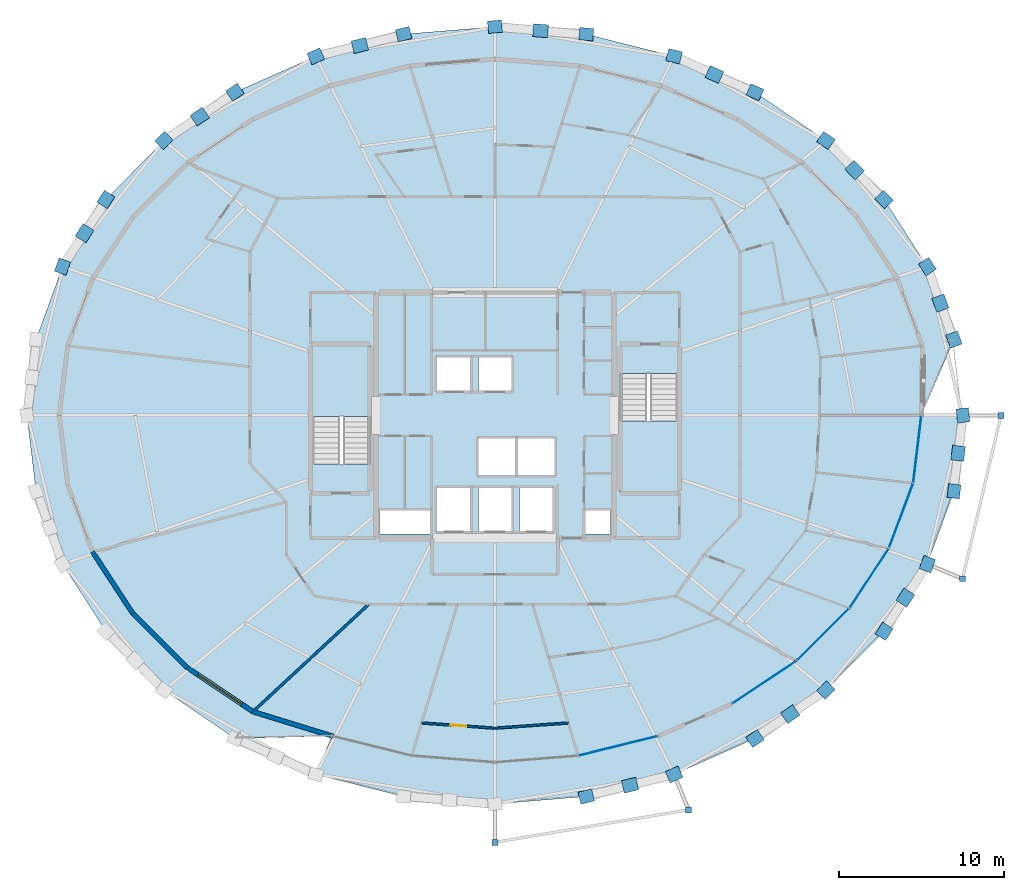
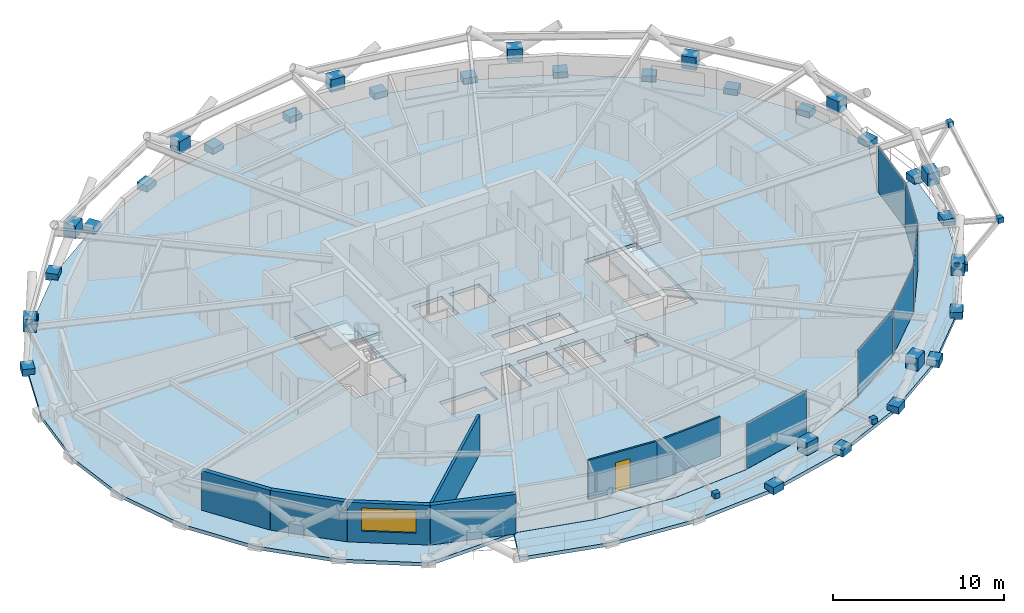
# One storey, part 14 of 22: 43 plates, 7 walls, 4 slabs, 1 door, 1 window, 2 openings, 4 elements without a shape of their own.
"""IFC4 building model written with IfcOpenShell, lengths in metres."""

from ifc_helpers import new_model, si_unit, direction, frame, frame_2d, origin, origin_2d, place, context, subcontext, project, spatial, polyline, rectangle, outline, extrude, material, layer, layer_set, type_object, element, fill, aggregate, save


model = new_model("IFC4")

# Units and contexts
model_context = context("Model", 3, precision=1e-05, world=origin(), true_north=direction((0.0, 1.0)))
body_context = subcontext(model_context, "Body", "Model", "MODEL_VIEW")
ifc_project = project(units=[si_unit("LENGTHUNIT", "METRE"), si_unit("AREAUNIT", "SQUARE_METRE"), si_unit("VOLUMEUNIT", "CUBIC_METRE"), si_unit("PLANEANGLEUNIT", "RADIAN"), si_unit("MASSUNIT", "GRAM", prefix="KILO")], contexts=[model_context])

# Site, building, storey
site_placement = place(None, origin())
site = spatial("IfcSite", under=ifc_project, at=site_placement, CompositionType="ELEMENT")
building_placement = place(site_placement, origin())
building = spatial("IfcBuilding", under=site, at=building_placement, Name="Veldorina Hangang Commons", CompositionType="ELEMENT")
storey_placement = place(building_placement, frame((0.0, 0.0, 146.0)))
storey = spatial("IfcBuildingStorey", under=building, at=storey_placement, Name="L37", CompositionType="ELEMENT", Elevation=146.0)

# Curtain wall, plate
ifc_material_1 = material(Name="Glass Low-E Triple IGU", Category="glass")
ifc_layer_1 = layer(ifc_material_1, 0.179931640625)
ifc_layer_set_1 = layer_set([ifc_layer_1], Name="Glass Low-E Triple IGU")
curtain_wall_type = type_object("IfcCurtainWallType", Name="CW-SYS-Z2", PredefinedType="NOTDEFINED", material=ifc_layer_set_1)
curtain_wall_1_placement = place(storey_placement, origin())
curtain_wall_1 = element("IfcCurtainWall", 1, at=curtain_wall_1_placement, inside=storey, type_object=curtain_wall_type, Name="L37 unitised curtain wall CW-L37-R1", PredefinedType="NOTDEFINED")
ifc_layer_2 = layer(ifc_material_1, 0.0400390625)
ifc_layer_set_2 = layer_set([ifc_layer_2], Name="Glass Low-E Triple IGU")
plate_type_1 = type_object("IfcPlateType", Name="CW-PNL-VIS", PredefinedType="CURTAIN_PANEL", material=ifc_layer_set_2)
plate_1_placement = place(storey_placement, frame((39.468017578125, 3.963623046875, 0.01513671875), z_axis=(0.0, 0.0, 1.0), x_axis=(0.970850498824, 0.23968585468, 0.0)))
plate_1 = element("IfcPlate", 2, at=plate_1_placement, type_object=plate_type_1, Name="CW-L37-R1 facet 4 glazed vision panel", PredefinedType="CURTAIN_PANEL", context=body_context, shape_type="SweptSolid", body=[
    extrude(rectangle(XDim=4.81494140625, YDim=0.0400390625, at=origin_2d()), origin(), (0.0, 0.0, 1.0), 3.280029296875),
])
aggregate(curtain_wall_1, [plate_1])

# Curtain wall, plates
curtain_wall_2_placement = place(storey_placement, origin())
curtain_wall_2 = element("IfcCurtainWall", 3, at=curtain_wall_2_placement, inside=storey, type_object=curtain_wall_type, Name="L37 unitised curtain wall CW-L37-R2", PredefinedType="NOTDEFINED")
plate_2_placement = place(storey_placement, frame((48.320556640625, 7.814697265625, 0.01513671875), z_axis=(0.0, 0.0, 1.0), x_axis=(0.831566564936, 0.555425105735, 0.0)))
plate_2 = element("IfcPlate", 4, at=plate_2_placement, type_object=plate_type_1, Name="CW-L37-R2 facet 1 glazed vision panel", PredefinedType="CURTAIN_PANEL", context=body_context, shape_type="SweptSolid", body=[
    extrude(rectangle(XDim=4.53076171875, YDim=0.0400390625, at=origin_2d()), origin(), (0.0, 0.0, 1.0), 3.280029296875),
])
plate_3_placement = place(storey_placement, frame((51.886474609375, 10.717041015625, 0.01513671875), z_axis=(0.0, 0.0, 1.0), x_axis=(0.710037911549, 0.704163449891, 0.0)))
plate_3 = element("IfcPlate", 5, at=plate_3_placement, type_object=plate_type_1, Name="CW-L37-R2 facet 2 glazed vision panel", PredefinedType="CURTAIN_PANEL", context=body_context, shape_type="SweptSolid", body=[
    extrude(rectangle(XDim=4.34765625, YDim=0.0400390625, at=origin_2d()), origin(), (0.0, 0.0, 1.0), 3.280029296875),
])
plate_4_placement = place(storey_placement, frame((54.688232421875, 14.1298828125, 0.01513671875), z_axis=(0.0, 0.0, 1.0), x_axis=(0.548935289446, 0.83586485032, 0.0)))
plate_4 = element("IfcPlate", 6, at=plate_4_placement, type_object=plate_type_1, Name="CW-L37-R2 facet 3 glazed vision panel", PredefinedType="CURTAIN_PANEL", context=body_context, shape_type="SweptSolid", body=[
    extrude(rectangle(XDim=4.171630859375, YDim=0.0400390625, at=origin_2d()), origin(), (0.0, 0.0, 1.0), 3.280029296875),
])
plate_5_placement = place(storey_placement, frame((56.618408203125, 17.922119140625, 0.01513671875), z_axis=(0.0, 0.0, 1.0), x_axis=(0.349259017191, 0.937026221037, 0.0)))
plate_5 = element("IfcPlate", 7, at=plate_5_placement, type_object=plate_type_1, Name="CW-L37-R2 facet 4 glazed vision panel", PredefinedType="CURTAIN_PANEL", context=body_context, shape_type="SweptSolid", body=[
    extrude(rectangle(XDim=4.031982421875, YDim=0.0400390625, at=origin_2d()), origin(), (0.0, 0.0, 1.0), 3.280029296875),
])
plate_6_placement = place(storey_placement, frame((57.60205078125, 21.94775390625, 0.01513671875), z_axis=(0.0, 0.0, 1.0), x_axis=(0.120136838835, 0.992757341929, 0.0)))
plate_6 = element("IfcPlate", 8, at=plate_6_placement, type_object=plate_type_1, Name="CW-L37-R2 facet 5 glazed vision panel", PredefinedType="CURTAIN_PANEL", context=body_context, shape_type="SweptSolid", body=[
    extrude(rectangle(XDim=3.95458984375, YDim=0.0400390625, at=origin_2d()), origin(), (0.0, 0.0, 1.0), 3.280029296875),
])
aggregate(curtain_wall_2, [plate_2, plate_3, plate_4, plate_5, plate_6])

# Plates
ifc_material_2 = material(Name="Steel SM460-TMC", Category="steel")
ifc_layer_3 = layer(ifc_material_2, 0.035888671875)
ifc_layer_set_3 = layer_set([ifc_layer_3], Name="Steel SM460-TMC")
plate_type_2 = type_object("IfcPlateType", Name="PL-STAR-36", PredefinedType="USERDEFINED", material=ifc_layer_set_3)
for number, where, z_axis, x_axis, name in (
    (9, (60.37060546875, 24.0, -0.090087890625), (0.0, 0.0, 1.0), (-0.117780046346, 0.993039707506, 0.0), "L37 diagrid star-node gusset plate 00"),
    (10, (59.825439453125, 28.59619140625, -0.090087890625), (0.0, 0.0, 1.0), (-0.343118758154, 0.939292030097, 0.0), "L37 diagrid star-node gusset plate 01"),
):
    element("IfcPlate", number, at=place(storey_placement, frame(where, z_axis=z_axis, x_axis=x_axis)), inside=storey, type_object=plate_type_2, Name=name, ObjectType="GUSSET PLATE", PredefinedType="USERDEFINED", context=body_context, shape_type="SweptSolid", body=[
        extrude(rectangle(XDim=0.85009765625, YDim=0.75, at=origin_2d()), origin(), (0.0, 0.0, 1.0), 0.5),
    ])
plate_7_placement = place(storey_placement, frame((58.996826171875, 30.801513671875, 1.351318359375), z_axis=(0.0, 0.0, 1.0), x_axis=(-0.343118758154, 0.939292030097, 0.0)))
element("IfcPlate", 11, at=plate_7_placement, inside=storey, type_object=plate_type_2, Name="L37 diagrid X-crossing star-node gusset plate 01", ObjectType="GUSSET PLATE", PredefinedType="USERDEFINED", context=body_context, shape_type="SweptSolid", body=[
    extrude(rectangle(XDim=0.89990234375, YDim=0.780029296875, at=origin_2d()), origin(), (0.0, 0.0, 1.0), 0.89990234375),
])
for number, where, z_axis, x_axis, name in (
    (12, (58.2109375, 33.015869140625, -0.090087890625), (0.0, 0.0, 1.0), (-0.541238664866, 0.840869019321, 0.0), "L37 diagrid star-node gusset plate 02"),
    (13, (55.589111328125, 37.0888671875, -0.090087890625), (0.0, 0.0, 1.0), (-0.702923128081, 0.711265826543, 0.0), "L37 diagrid star-node gusset plate 03"),
):
    element("IfcPlate", number, at=place(storey_placement, frame(where, z_axis=z_axis, x_axis=x_axis)), inside=storey, type_object=plate_type_2, Name=name, ObjectType="GUSSET PLATE", PredefinedType="USERDEFINED", context=body_context, shape_type="SweptSolid", body=[
        extrude(rectangle(XDim=0.85009765625, YDim=0.75, at=origin_2d()), origin(), (0.0, 0.0, 1.0), 0.5),
    ])
plate_8_placement = place(storey_placement, frame((53.80810546875, 38.864013671875, 1.351318359375), z_axis=(0.0, 0.0, 1.0), x_axis=(-0.702923128081, 0.711265826543, 0.0)))
element("IfcPlate", 14, at=plate_8_placement, inside=storey, type_object=plate_type_2, Name="L37 diagrid X-crossing star-node gusset plate 03", ObjectType="GUSSET PLATE", PredefinedType="USERDEFINED", context=body_context, shape_type="SweptSolid", body=[
    extrude(rectangle(XDim=0.89990234375, YDim=0.780029296875, at=origin_2d()), origin(), (0.0, 0.0, 1.0), 0.89990234375),
])
for number, where, z_axis, x_axis, name in (
    (15, (52.06103515625, 40.658935546875, -0.090087890625), (0.0, 0.0, 1.0), (-0.826353929441, 0.563151119415, 0.0), "L37 diagrid star-node gusset plate 04"),
    (16, (47.76171875, 43.5888671875, -0.090087890625), (0.0, 0.0, 1.0), (-0.913999216818, 0.405715949472, 0.0), "L37 diagrid star-node gusset plate 05"),
):
    element("IfcPlate", number, at=place(storey_placement, frame(where, z_axis=z_axis, x_axis=x_axis)), inside=storey, type_object=plate_type_2, Name=name, ObjectType="GUSSET PLATE", PredefinedType="USERDEFINED", context=body_context, shape_type="SweptSolid", body=[
        extrude(rectangle(XDim=0.85009765625, YDim=0.75, at=origin_2d()), origin(), (0.0, 0.0, 1.0), 0.5),
    ])
plate_9_placement = place(storey_placement, frame((45.298828125, 44.663818359375, 1.3515625), z_axis=(0.0, 0.0, 1.0), x_axis=(-0.913999216818, 0.405715949472, 0.0)))
element("IfcPlate", 17, at=plate_9_placement, inside=storey, type_object=plate_type_2, Name="L37 diagrid X-crossing star-node gusset plate 05", ObjectType="GUSSET PLATE", PredefinedType="USERDEFINED", context=body_context, shape_type="SweptSolid", body=[
    extrude(rectangle(XDim=0.89990234375, YDim=0.780029296875, at=origin_2d()), origin(), (0.0, 0.0, 1.0), 0.89990234375),
])
for number, where, z_axis, x_axis, name in (
    (18, (42.85693359375, 45.76611328125, -0.090087890625), (0.0, 0.0, 1.0), (-0.969710230395, 0.244258201639, 0.0), "L37 diagrid star-node gusset plate 06"),
    (19, (37.534912109375, 47.106689453125, -0.090087890625), (0.0, 0.0, 1.0), (-0.996671621704, 0.081521030961, 0.0), "L37 diagrid star-node gusset plate 07"),
):
    element("IfcPlate", number, at=place(storey_placement, frame(where, z_axis=z_axis, x_axis=x_axis)), inside=storey, type_object=plate_type_2, Name=name, ObjectType="GUSSET PLATE", PredefinedType="USERDEFINED", context=body_context, shape_type="SweptSolid", body=[
        extrude(rectangle(XDim=0.85009765625, YDim=0.75, at=origin_2d()), origin(), (0.0, 0.0, 1.0), 0.5),
    ])
plate_10_placement = place(storey_placement, frame((34.76513671875, 47.3173828125, 1.3515625), z_axis=(0.0, 0.0, 1.0), x_axis=(-0.996671621704, 0.081521030961, 0.0)))
element("IfcPlate", 20, at=plate_10_placement, inside=storey, type_object=plate_type_2, Name="L37 diagrid X-crossing star-node gusset plate 07", ObjectType="GUSSET PLATE", PredefinedType="USERDEFINED", context=body_context, shape_type="SweptSolid", body=[
    extrude(rectangle(XDim=0.89990234375, YDim=0.780029296875, at=origin_2d()), origin(), (0.0, 0.0, 1.0), 0.89990234375),
])
for number, where, z_axis, x_axis, name in (
    (21, (32.0, 47.559326171875, -0.090087890625), (0.0, 0.0, 1.0), (-0.996671621704, -0.081521030961, 0.0), "L37 diagrid star-node gusset plate 08"),
    (22, (26.465087890625, 47.106689453125, -0.090087890625), (0.0, 0.0, 1.0), (-0.969710230395, -0.244258201639, 0.0), "L37 diagrid star-node gusset plate 09"),
):
    element("IfcPlate", number, at=place(storey_placement, frame(where, z_axis=z_axis, x_axis=x_axis)), inside=storey, type_object=plate_type_2, Name=name, ObjectType="GUSSET PLATE", PredefinedType="USERDEFINED", context=body_context, shape_type="SweptSolid", body=[
        extrude(rectangle(XDim=0.85009765625, YDim=0.75, at=origin_2d()), origin(), (0.0, 0.0, 1.0), 0.5),
    ])
plate_11_placement = place(storey_placement, frame((23.810546875, 46.42138671875, 1.3515625), z_axis=(0.0, 0.0, 1.0), x_axis=(-0.969710230395, -0.244258201639, 0.0)))
element("IfcPlate", 23, at=plate_11_placement, inside=storey, type_object=plate_type_2, Name="L37 diagrid X-crossing star-node gusset plate 09", ObjectType="GUSSET PLATE", PredefinedType="USERDEFINED", context=body_context, shape_type="SweptSolid", body=[
    extrude(rectangle(XDim=0.89990234375, YDim=0.780029296875, at=origin_2d()), origin(), (0.0, 0.0, 1.0), 0.89990234375),
])
for number, where, z_axis, x_axis, name in (
    (24, (21.14306640625, 45.76611328125, -0.090087890625), (0.0, 0.0, 1.0), (-0.913999216818, -0.405715949472, 0.0), "L37 diagrid star-node gusset plate 10"),
    (25, (16.23828125, 43.5888671875, -0.090087890625), (0.0, 0.0, 1.0), (-0.826353929441, -0.563151119415, 0.0), "L37 diagrid star-node gusset plate 11"),
):
    element("IfcPlate", number, at=place(storey_placement, frame(where, z_axis=z_axis, x_axis=x_axis)), inside=storey, type_object=plate_type_2, Name=name, ObjectType="GUSSET PLATE", PredefinedType="USERDEFINED", context=body_context, shape_type="SweptSolid", body=[
        extrude(rectangle(XDim=0.85009765625, YDim=0.75, at=origin_2d()), origin(), (0.0, 0.0, 1.0), 0.5),
    ])
plate_12_placement = place(storey_placement, frame((14.102783203125, 42.11181640625, 1.3515625), z_axis=(0.0, 0.0, 1.0), x_axis=(-0.826353929441, -0.563151119415, 0.0)))
element("IfcPlate", 26, at=plate_12_placement, inside=storey, type_object=plate_type_2, Name="L37 diagrid X-crossing star-node gusset plate 11", ObjectType="GUSSET PLATE", PredefinedType="USERDEFINED", context=body_context, shape_type="SweptSolid", body=[
    extrude(rectangle(XDim=0.89990234375, YDim=0.780029296875, at=origin_2d()), origin(), (0.0, 0.0, 1.0), 0.89990234375),
])
for number, where, z_axis, x_axis, name in (
    (27, (11.93896484375, 40.658935546875, -0.090087890625), (0.0, 0.0, 1.0), (-0.702923128081, -0.711265826543, 0.0), "L37 diagrid star-node gusset plate 12"),
    (28, (8.410888671875, 37.0888671875, -0.090087890625), (0.0, 0.0, 1.0), (-0.541238664866, -0.840869019321, 0.0), "L37 diagrid star-node gusset plate 13"),
):
    element("IfcPlate", number, at=place(storey_placement, frame(where, z_axis=z_axis, x_axis=x_axis)), inside=storey, type_object=plate_type_2, Name=name, ObjectType="GUSSET PLATE", PredefinedType="USERDEFINED", context=body_context, shape_type="SweptSolid", body=[
        extrude(rectangle(XDim=0.85009765625, YDim=0.75, at=origin_2d()), origin(), (0.0, 0.0, 1.0), 0.5),
    ])
plate_13_placement = place(storey_placement, frame((7.11962890625, 35.044921875, 1.351318359375), z_axis=(0.0, 0.0, 1.0), x_axis=(-0.541238664866, -0.840869019321, 0.0)))
element("IfcPlate", 29, at=plate_13_placement, inside=storey, type_object=plate_type_2, Name="L37 diagrid X-crossing star-node gusset plate 13", ObjectType="GUSSET PLATE", PredefinedType="USERDEFINED", context=body_context, shape_type="SweptSolid", body=[
    extrude(rectangle(XDim=0.89990234375, YDim=0.780029296875, at=origin_2d()), origin(), (0.0, 0.0, 1.0), 0.89990234375),
])
for number, where, z_axis, x_axis, name in (
    (30, (5.7890625, 33.015869140625, -0.090087890625), (0.0, 0.0, 1.0), (-0.343118758154, -0.939292030097, 0.0), "L37 diagrid star-node gusset plate 14"),
    (31, (37.534912109375, 0.893310546875, -0.090087890625), (0.0, 0.0, 1.0), (0.969710230395, 0.244258201639, 0.0), "L37 diagrid star-node gusset plate 25"),
):
    element("IfcPlate", number, at=place(storey_placement, frame(where, z_axis=z_axis, x_axis=x_axis)), inside=storey, type_object=plate_type_2, Name=name, ObjectType="GUSSET PLATE", PredefinedType="USERDEFINED", context=body_context, shape_type="SweptSolid", body=[
        extrude(rectangle(XDim=0.85009765625, YDim=0.75, at=origin_2d()), origin(), (0.0, 0.0, 1.0), 0.5),
    ])
plate_14_placement = place(storey_placement, frame((40.189453125, 1.57861328125, 1.3515625), z_axis=(0.0, 0.0, 1.0), x_axis=(0.969710230395, 0.244258201639, 0.0)))
element("IfcPlate", 32, at=plate_14_placement, inside=storey, type_object=plate_type_2, Name="L37 diagrid X-crossing star-node gusset plate 25", ObjectType="GUSSET PLATE", PredefinedType="USERDEFINED", context=body_context, shape_type="SweptSolid", body=[
    extrude(rectangle(XDim=0.89990234375, YDim=0.780029296875, at=origin_2d()), origin(), (0.0, 0.0, 1.0), 0.89990234375),
])
for number, where, z_axis, x_axis, name in (
    (33, (42.85693359375, 2.23388671875, -0.090087890625), (0.0, 0.0, 1.0), (0.913999216818, 0.405715949472, 0.0), "L37 diagrid star-node gusset plate 26"),
    (34, (47.76171875, 4.4111328125, -0.090087890625), (0.0, 0.0, 1.0), (0.826353929441, 0.563151119415, 0.0), "L37 diagrid star-node gusset plate 27"),
):
    element("IfcPlate", number, at=place(storey_placement, frame(where, z_axis=z_axis, x_axis=x_axis)), inside=storey, type_object=plate_type_2, Name=name, ObjectType="GUSSET PLATE", PredefinedType="USERDEFINED", context=body_context, shape_type="SweptSolid", body=[
        extrude(rectangle(XDim=0.85009765625, YDim=0.75, at=origin_2d()), origin(), (0.0, 0.0, 1.0), 0.5),
    ])
plate_15_placement = place(storey_placement, frame((49.897216796875, 5.88818359375, 1.3515625), z_axis=(0.0, 0.0, 1.0), x_axis=(0.826353929441, 0.563151119415, 0.0)))
element("IfcPlate", 35, at=plate_15_placement, inside=storey, type_object=plate_type_2, Name="L37 diagrid X-crossing star-node gusset plate 27", ObjectType="GUSSET PLATE", PredefinedType="USERDEFINED", context=body_context, shape_type="SweptSolid", body=[
    extrude(rectangle(XDim=0.89990234375, YDim=0.780029296875, at=origin_2d()), origin(), (0.0, 0.0, 1.0), 0.89990234375),
])
for number, where, z_axis, x_axis, name in (
    (36, (52.06103515625, 7.341064453125, -0.090087890625), (0.0, 0.0, 1.0), (0.702923128081, 0.711265826543, 0.0), "L37 diagrid star-node gusset plate 28"),
    (37, (55.589111328125, 10.9111328125, -0.090087890625), (0.0, 0.0, 1.0), (0.541238664866, 0.840869019321, 0.0), "L37 diagrid star-node gusset plate 29"),
):
    element("IfcPlate", number, at=place(storey_placement, frame(where, z_axis=z_axis, x_axis=x_axis)), inside=storey, type_object=plate_type_2, Name=name, ObjectType="GUSSET PLATE", PredefinedType="USERDEFINED", context=body_context, shape_type="SweptSolid", body=[
        extrude(rectangle(XDim=0.85009765625, YDim=0.75, at=origin_2d()), origin(), (0.0, 0.0, 1.0), 0.5),
    ])
plate_16_placement = place(storey_placement, frame((56.88037109375, 12.955078125, 1.351318359375), z_axis=(0.0, 0.0, 1.0), x_axis=(0.541238664866, 0.840869019321, 0.0)))
element("IfcPlate", 38, at=plate_16_placement, inside=storey, type_object=plate_type_2, Name="L37 diagrid X-crossing star-node gusset plate 29", ObjectType="GUSSET PLATE", PredefinedType="USERDEFINED", context=body_context, shape_type="SweptSolid", body=[
    extrude(rectangle(XDim=0.89990234375, YDim=0.780029296875, at=origin_2d()), origin(), (0.0, 0.0, 1.0), 0.89990234375),
])
for number, where, z_axis, x_axis, name in (
    (39, (58.2109375, 14.984130859375, -0.090087890625), (0.0, 0.0, 1.0), (0.343118758154, 0.939292030097, 0.0), "L37 diagrid star-node gusset plate 30"),
    (40, (59.825439453125, 19.40380859375, -0.090087890625), (0.0, 0.0, 1.0), (0.117780046346, 0.993039707506, 0.0), "L37 diagrid star-node gusset plate 31"),
):
    element("IfcPlate", number, at=place(storey_placement, frame(where, z_axis=z_axis, x_axis=x_axis)), inside=storey, type_object=plate_type_2, Name=name, ObjectType="GUSSET PLATE", PredefinedType="USERDEFINED", context=body_context, shape_type="SweptSolid", body=[
        extrude(rectangle(XDim=0.85009765625, YDim=0.75, at=origin_2d()), origin(), (0.0, 0.0, 1.0), 0.5),
    ])
plate_17_placement = place(storey_placement, frame((60.07568359375, 21.703369140625, 1.351318359375), z_axis=(0.0, 0.0, 1.0), x_axis=(0.117780046346, 0.993039707506, 0.0)))
element("IfcPlate", 41, at=plate_17_placement, inside=storey, type_object=plate_type_2, Name="L37 diagrid X-crossing star-node gusset plate 31", ObjectType="GUSSET PLATE", PredefinedType="USERDEFINED", context=body_context, shape_type="SweptSolid", body=[
    extrude(rectangle(XDim=0.89990234375, YDim=0.780029296875, at=origin_2d()), origin(), (0.0, 0.0, 1.0), 0.89990234375),
])
for number, where, z_axis, x_axis, name in (
    (42, (32.0, -1.8779296875, 2.9951171875), (0.0, 0.0, 1.0), (1.0, 0.0, 0.0), "L38 tree balcony 1 strut end gusset A"),
    (43, (43.739013671875, 0.091796875, 2.9951171875), (0.0, 0.0, 1.0), (1.0, 0.0, 0.0), "L38 tree balcony 1 strut end gusset B"),
    (44, (60.3408203125, 14.096923828125, 2.9951171875), (0.0, 0.0, 1.0), (1.0, 0.0, 0.0), "L38 tree balcony 2 strut end gusset A"),
    (45, (62.67578125, 24.0, 2.9951171875), (0.0, 0.0, 1.0), (1.0, 0.0, 0.0), "L38 tree balcony 2 strut end gusset B"),
):
    element("IfcPlate", number, at=place(storey_placement, frame(where, z_axis=z_axis, x_axis=x_axis)), inside=storey, type_object=plate_type_2, Name=name, ObjectType="GUSSET PLATE", PredefinedType="USERDEFINED", context=body_context, shape_type="SweptSolid", body=[
        extrude(rectangle(XDim=0.360107421875, YDim=0.360107421875, at=origin_2d()), origin(), (0.0, 0.0, 1.0), 0.360107421875),
    ])

# Slabs
ifc_material_3 = material(Name="Concrete C40/50", Category="concrete")
ifc_layer_4 = layer(ifc_material_3, 0.25)
ifc_layer_set_4 = layer_set([ifc_layer_4], Name="Concrete C40/50")
slab_type_1 = type_object("IfcSlabType", Name="SL-FLR-250", PredefinedType="FLOOR", material=ifc_layer_set_4)
slab_1_placement = place(storey_placement, frame((0.0, 0.0, -0.25)))
element("IfcSlab", 46, at=slab_1_placement, inside=storey, type_object=slab_type_1, Name="L37 tower structural floor slab", PredefinedType="FLOOR", context=body_context, shape_type="SweptSolid", body=[
    extrude(outline(polyline([(57.8505859375, 24.0), (59.825439453125, 28.59619140625), (58.2109375, 33.015869140625), (55.589111328125, 37.0888671875), (52.06103515625, 40.658935546875), (47.76171875, 43.5888671875), (42.85693359375, 45.76611328125), (37.534912109375, 47.106689453125), (32.0, 47.559326171875), (26.465087890625, 47.106689453125), (21.14306640625, 45.76611328125), (16.23828125, 43.5888671875), (11.93896484375, 40.658935546875), (8.410888671875, 37.0888671875), (5.7890625, 33.015869140625), (4.174560546875, 28.59619140625), (3.62939453125, 24.0), (4.174560546875, 19.40380859375), (5.7890625, 14.984130859375), (8.410888671875, 10.9111328125), (11.93896484375, 7.341064453125), (16.23828125, 4.4111328125), (22.107421875, 4.562255859375), (26.956787109375, 3.364990234375), (32.0, 2.960693359375), (37.043212890625, 3.364990234375), (41.892578125, 4.562255859375), (46.36181640625, 6.506591796875), (50.279052734375, 9.123046875), (53.493896484375, 12.311279296875), (55.8828125, 15.948486328125), (57.353759765625, 19.8955078125), (57.8505859375, 24.0)]), holes=[polyline([(20.949951171875, 21.05810546875), (20.949951171875, 28.199951171875), (24.449951171875, 28.199951171875), (24.449951171875, 21.05810546875), (20.949951171875, 21.05810546875)]), polyline([(43.050048828125, 26.5419921875), (43.050048828125, 19.39990234375), (39.550048828125, 19.39990234375), (39.550048828125, 26.5419921875), (43.050048828125, 26.5419921875)]), polyline([(28.5, 27.5), (30.5, 27.5), (30.5, 25.5), (28.5, 25.5), (28.5, 27.5)]), polyline([(31.0, 27.5), (33.0, 27.5), (33.0, 25.5), (31.0, 25.5), (31.0, 27.5)]), polyline([(31.0, 22.60009765625), (33.199951171875, 22.60009765625), (33.199951171875, 20.39990234375), (31.0, 20.39990234375), (31.0, 22.60009765625)]), polyline([(33.39990234375, 22.60009765625), (35.60009765625, 22.60009765625), (35.60009765625, 20.39990234375), (33.39990234375, 20.39990234375), (33.39990234375, 22.60009765625)]), polyline([(28.5, 19.60009765625), (30.5, 19.60009765625), (30.5, 17.0), (28.5, 17.0), (28.5, 19.60009765625)]), polyline([(31.0, 19.60009765625), (33.0, 19.60009765625), (33.0, 17.0), (31.0, 17.0), (31.0, 19.60009765625)]), polyline([(33.5, 19.60009765625), (35.5, 19.60009765625), (35.5, 17.0), (33.5, 17.0), (33.5, 19.60009765625)]), polyline([(25.0, 18.25), (28.10009765625, 18.25), (28.10009765625, 16.800048828125), (25.0, 16.800048828125), (25.0, 18.25)]), polyline([(37.449951171875, 18.25), (39.0, 18.25), (39.0, 16.800048828125), (37.449951171875, 16.800048828125), (37.449951171875, 18.25)])]), origin(), (0.0, 0.0, 1.0), 0.25),
])
slab_2_placement = place(storey_placement, frame((0.0, 0.0, -0.25)))
element("IfcSlab", 47, at=slab_2_placement, inside=storey, type_object=slab_type_1, Name="L37 sky-garden loggia outdoor slab", PredefinedType="FLOOR", context=body_context, shape_type="SweptSolid", body=[
    extrude(outline(polyline([(60.37060546875, 24.0), (59.825439453125, 19.40380859375), (58.2109375, 14.984130859375), (55.589111328125, 10.9111328125), (52.06103515625, 7.341064453125), (47.76171875, 4.4111328125), (42.85693359375, 2.23388671875), (37.534912109375, 0.893310546875), (32.0, 0.440673828125), (26.465087890625, 0.893310546875), (21.14306640625, 2.23388671875), (22.10107421875, 4.547119140625), (22.105712890625, 4.547119140625), (26.953125, 3.350341796875), (26.954345703125, 3.35009765625), (26.95556640625, 3.35009765625), (31.998779296875, 2.94580078125), (32.0, 2.94580078125), (32.001220703125, 2.94580078125), (37.04443359375, 3.35009765625), (37.045654296875, 3.35009765625), (37.046875, 3.350341796875), (41.896240234375, 4.547607421875), (41.8974609375, 4.548095703125), (41.898681640625, 4.54833984375), (46.367919921875, 6.49267578125), (46.368896484375, 6.493408203125), (46.3701171875, 6.493896484375), (50.287353515625, 9.110595703125), (50.28857421875, 9.111328125), (50.289794921875, 9.1123046875), (53.50439453125, 12.300537109375), (53.505615234375, 12.3017578125), (53.50634765625, 12.302978515625), (55.895263671875, 15.9404296875), (55.89599609375, 15.94189453125), (55.896728515625, 15.943359375), (57.367919921875, 19.89013671875), (57.368408203125, 19.891845703125), (57.36865234375, 19.8935546875), (57.864990234375, 23.99609375), (57.86669921875, 24.0), (60.37060546875, 24.0)])), origin(), (0.0, 0.0, 1.0), 0.25),
])

# Stair, slab
stair_type = type_object("IfcStairType", Name="STR-DOG-1650-20R", PredefinedType="HALF_TURN_STAIR", material=ifc_material_3)
stair_1_placement = place(storey_placement, origin())
stair_1 = element("IfcStair", 48, at=stair_1_placement, inside=storey, type_object=stair_type, Name="L37 Exit stair ST-1", PredefinedType="HALF_TURN_STAIR")
ifc_layer_5 = layer(ifc_material_3, 0.199951171875)
ifc_layer_set_5 = layer_set([ifc_layer_5], Name="Concrete C40/50")
slab_type_2 = type_object("IfcSlabType", Name="SL-LND-200", PredefinedType="LANDING", material=ifc_layer_set_5)
slab_3_placement = place(storey_placement, frame((0.0, 0.0, 1.60009765625)))
slab_3 = element("IfcSlab", 49, at=slab_3_placement, type_object=slab_type_2, Name="ST-1 landing 1", PredefinedType="LANDING", context=body_context, shape_type="SweptSolid", body=[
    extrude(outline(polyline([(24.449951171875, 23.929931640625), (24.449951171875, 28.199951171875), (20.949951171875, 28.199951171875), (20.949951171875, 23.929931640625), (24.449951171875, 23.929931640625)])), origin(), (0.0, 0.0, 1.0), 0.199951171875),
])
aggregate(stair_1, [slab_3])

stair_2_placement = place(storey_placement, origin())
stair_2 = element("IfcStair", 50, at=stair_2_placement, inside=storey, type_object=stair_type, Name="L37 Exit stair ST-2", PredefinedType="HALF_TURN_STAIR")
slab_4_placement = place(storey_placement, frame((0.0, 0.0, 1.60009765625)))
slab_4 = element("IfcSlab", 51, at=slab_4_placement, type_object=slab_type_2, Name="ST-2 landing 1", PredefinedType="LANDING", context=body_context, shape_type="SweptSolid", body=[
    extrude(outline(polyline([(39.550048828125, 23.669921875), (39.550048828125, 19.39990234375), (43.050048828125, 19.39990234375), (43.050048828125, 23.669921875), (39.550048828125, 23.669921875)])), origin(), (0.0, 0.0, 1.0), 0.199951171875),
])
aggregate(stair_2, [slab_4])

# Walls
ifc_material_4 = material(Name="Stone Roman Travertine", Category="masonry")
ifc_layer_6 = layer(ifc_material_4, 0.280029296875)
ifc_layer_set_6 = layer_set([ifc_layer_6], Name="Stone Roman Travertine")
wall_type_1 = type_object("IfcWallType", Name="EW-TRAV-280", PredefinedType="STANDARD", material=ifc_layer_set_6)
wall_1_placement = place(storey_placement, frame((7.599853515625, 15.734375, 0.0), z_axis=(0.0, 0.0, 1.0), x_axis=(0.547087162156, -0.837075645927, 0.0)))
element("IfcWall", 52, at=wall_1_placement, inside=storey, type_object=wall_type_1, Name="L37 travertine facade wall 18", PredefinedType="STANDARD", context=body_context, shape_type="SweptSolid", body=[
    extrude(rectangle(XDim=4.461181640625, YDim=0.280029296875, at=frame_2d((2.23046875, 0.0))), origin(), (0.0, 0.0, 1.0), 2.820068359375),
])
wall_2_placement = place(storey_placement, frame((10.04052734375, 12.0, 0.0), z_axis=(0.0, 0.0, 1.0), x_axis=(0.708343047993, -0.70586834917, 0.0)))
element("IfcWall", 53, at=wall_2_placement, inside=storey, type_object=wall_type_1, Name="L37 travertine facade wall 19", PredefinedType="STANDARD", context=body_context, shape_type="SweptSolid", body=[
    extrude(rectangle(XDim=4.63671875, YDim=0.280029296875, at=frame_2d((2.318359375, 0.0))), origin(), (0.0, 0.0, 1.0), 2.820068359375),
])

# Wall, opening, window
wall_3_placement = place(storey_placement, frame((13.324951171875, 8.72705078125, 0.0), z_axis=(0.0, 0.0, 1.0), x_axis=(0.830308520581, -0.557304010977, 0.0)))
wall_3 = element("IfcWall", 54, at=wall_3_placement, inside=storey, type_object=wall_type_1, Name="L37 travertine facade wall 20", PredefinedType="STANDARD", context=body_context, shape_type="SweptSolid", body=[
    extrude(rectangle(XDim=4.820068359375, YDim=0.280029296875, at=frame_2d((2.41015625, 0.0))), origin(), (0.0, 0.0, 1.0), 2.820068359375),
])
opening_1_placement = place(wall_3_placement, frame((0.81005859375, 0.0, 0.800048828125)))
opening_1 = element("IfcOpeningElement", 55, at=opening_1_placement, cuts=wall_3, Name="Opening W-01", PredefinedType="OPENING", context=body_context, shape_type="SweptSolid", body=[
    extrude(rectangle(XDim=3.199951171875, YDim=1.64990234375, at=frame_2d((1.60009765625, 0.824951171875))), frame((0.0, 0.14990234375, 0.0), z_axis=(0.0, -1.0, 0.0), x_axis=(1.0, 0.0, 0.0)), (0.0, 0.0, 1.0), 0.300048828125),
])
window_type = type_object("IfcWindowType", Name="WIN-TWR-3200", PartitioningType="SINGLE_PANEL", PredefinedType="WINDOW", material=ifc_material_1)
window_placement = place(opening_1_placement, origin())
window = element("IfcWindow", 56, at=window_placement, inside=storey, type_object=window_type, Name="L37 facade window 20", OverallHeight=1.64990234375, OverallWidth=3.199951171875, PartitioningType="SINGLE_PANEL", PredefinedType="WINDOW", context=body_context, shape_type="SweptSolid", body=[
    extrude(rectangle(XDim=3.199951171875, YDim=1.64990234375, at=frame_2d((1.60009765625, 0.824951171875))), frame((0.0, 0.030029296875, 0.0), z_axis=(0.0, -1.0, 0.0), x_axis=(1.0, 0.0, 0.0)), (0.0, 0.0, 1.0), 0.06005859375),
])
fill(opening_1, window)

# Walls
wall_4_placement = place(storey_placement, frame((17.3271484375, 6.040771484375, 0.0), z_axis=(0.0, 0.0, 1.0), x_axis=(0.955338718449, -0.295512999769, 0.0)))
element("IfcWall", 57, at=wall_4_placement, inside=storey, type_object=wall_type_1, Name="L37 travertine facade wall 21", PredefinedType="STANDARD", context=body_context, shape_type="SweptSolid", body=[
    extrude(rectangle(XDim=5.095703125, YDim=0.280029296875, at=frame_2d((2.5478515625, 0.0))), origin(), (0.0, 0.0, 1.0), 2.820068359375),
])
ifc_material_5 = material(Name="Gypsum Fire-Rated Twin Stud Wall", Category="gypsum")
ifc_layer_7 = layer(ifc_material_5, 0.159912109375)
ifc_layer_set_7 = layer_set([ifc_layer_7], Name="Gypsum Fire-Rated Twin Stud Wall")
wall_type_2 = type_object("IfcWallType", Name="WL-FIRE-160", PredefinedType="SOLIDWALL", material=ifc_layer_set_7)
wall_5_placement = place(storey_placement, frame((24.349365234375, 12.550048828125, 0.0), z_axis=(0.0, 0.0, 1.0), x_axis=(-0.733383855381, -0.67981476938, 0.0)))
element("IfcWall", 58, at=wall_5_placement, inside=storey, type_object=wall_type_2, Name="L37 Unit party wall 21 119", PredefinedType="SOLIDWALL", context=body_context, shape_type="SweptSolid", body=[
    extrude(rectangle(XDim=9.525146484375, YDim=0.159912109375, at=frame_2d((4.7626953125, 0.0))), origin(), (0.0, 0.0, 1.0), 2.800048828125),
])

# Wall, opening, door
ifc_material_6 = material(Name="Gypsum Acoustic Stud Partition", Category="gypsum")
ifc_layer_8 = layer(ifc_material_6, 0.1201171875)
ifc_layer_set_8 = layer_set([ifc_layer_8], Name="Gypsum Acoustic Stud Partition")
wall_type_3 = type_object("IfcWallType", Name="WL-PART-120", PredefinedType="PARTITIONING", material=ifc_layer_set_8)
wall_6_placement = place(storey_placement, frame((27.5556640625, 5.353759765625, 0.0), z_axis=(0.0, 0.0, 1.0), x_axis=(0.997467592574, -0.071122442055, 0.0)))
wall_6 = element("IfcWall", 59, at=wall_6_placement, inside=storey, type_object=wall_type_3, Name="L37 Laundry split 0 121", PredefinedType="PARTITIONING", context=body_context, shape_type="SweptSolid", body=[
    extrude(rectangle(XDim=4.45556640625, YDim=0.1201171875, at=frame_2d((2.227783203125, 0.0))), origin(), (0.0, 0.0, 1.0), 2.800048828125),
])
opening_2_placement = place(wall_6_placement, frame((1.7529296875, 0.0, 0.0)))
opening_2 = element("IfcOpeningElement", 60, at=opening_2_placement, cuts=wall_6, Name="Opening D-02", PredefinedType="OPENING", context=body_context, shape_type="SweptSolid", body=[
    extrude(rectangle(XDim=0.949951171875, YDim=2.10009765625, at=frame_2d((0.47509765625, 1.050048828125))), frame((0.0, 0.070068359375, 0.0), z_axis=(0.0, -1.0, 0.0), x_axis=(1.0, 0.0, 0.0)), (0.0, 0.0, 1.0), 0.14013671875),
])
ifc_material_7 = material(Name="Timber Solid Core Acoustic", Category="wood")
door_type = type_object("IfcDoorType", Name="DR-INT-950", OperationType="SINGLE_SWING_LEFT", PredefinedType="DOOR", material=ifc_material_7)
door_placement = place(opening_2_placement, origin())
door = element("IfcDoor", 61, at=door_placement, inside=storey, type_object=door_type, Name="L37 Resident laundry inner door 047", OperationType="SINGLE_SWING_LEFT", OverallHeight=2.10009765625, OverallWidth=0.949951171875, PredefinedType="DOOR", context=body_context, shape_type="SweptSolid", body=[
    extrude(rectangle(XDim=0.949951171875, YDim=2.10009765625, at=frame_2d((0.47509765625, 1.050048828125))), frame((0.0, 0.02490234375, 0.0), z_axis=(0.0, -1.0, 0.0), x_axis=(1.0, 0.0, 0.0)), (0.0, 0.0, 1.0), 0.050048828125),
])
fill(opening_2, door)

# Wall
wall_7_placement = place(storey_placement, frame((32.0, 5.036865234375, 0.0), z_axis=(0.0, 0.0, 1.0), x_axis=(0.997467592574, 0.071122442055, 0.0)))
element("IfcWall", 62, at=wall_7_placement, inside=storey, type_object=wall_type_3, Name="L37 Laundry split 1 122", PredefinedType="PARTITIONING", context=body_context, shape_type="SweptSolid", body=[
    extrude(rectangle(XDim=4.45556640625, YDim=0.1201171875, at=frame_2d((2.227783203125, 0.0))), origin(), (0.0, 0.0, 1.0), 2.800048828125),
])

save(model, "model.ifc")
